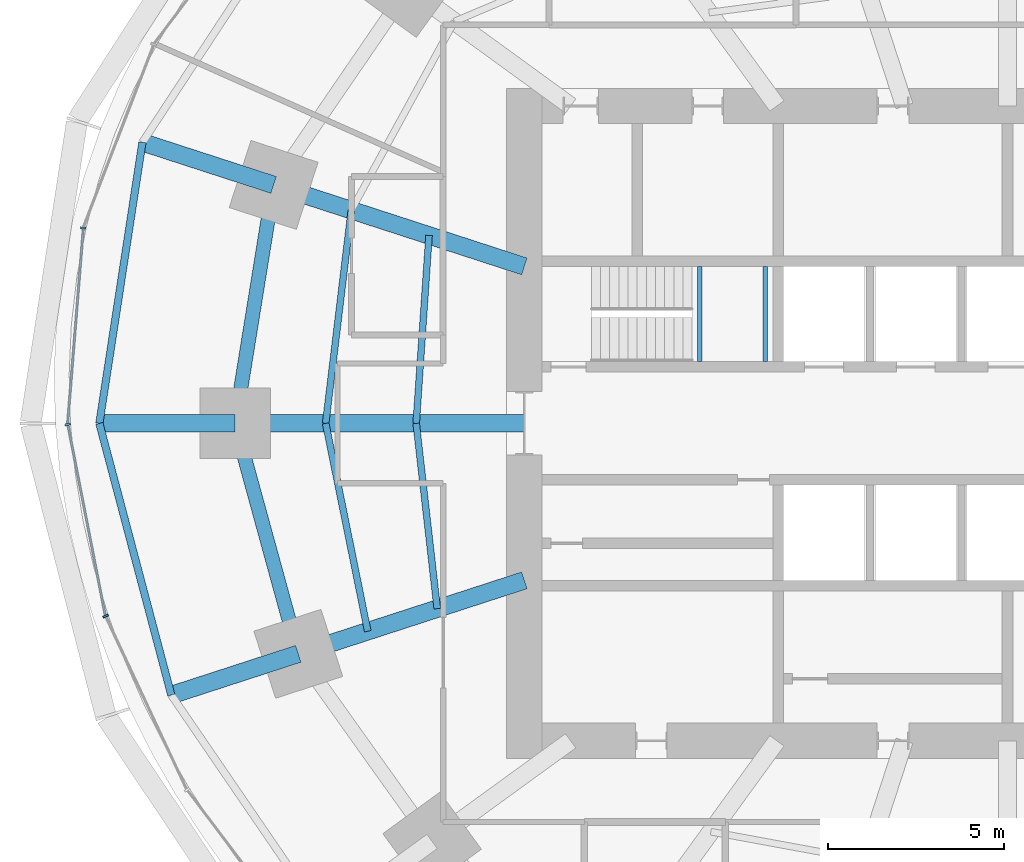
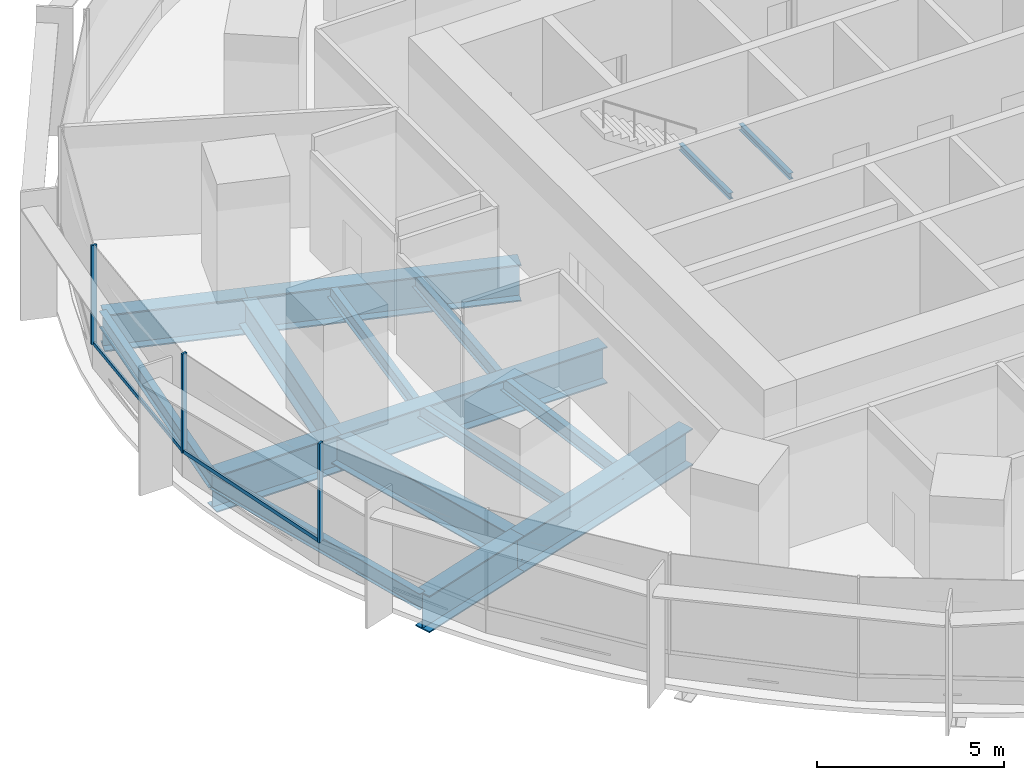
# One storey, part 4 of 15: 16 beams, 5 members, 2 elements without a shape of their own.
"""IFC4 building model written with IfcOpenShell, lengths in metres."""

from ifc_helpers import new_model, si_unit, direction, frame, origin, origin_2d, place, context, subcontext, project, spatial, rectangle, i_section, extrude, material, material_profile, profile_set, type_object, element, aggregate, save


model = new_model("IFC4")

# Units and contexts
model_context = context("Model", 3, precision=1e-05, world=origin(), true_north=direction((0.0, 1.0)))
body_context = subcontext(model_context, "Body", "Model", "MODEL_VIEW")
ifc_project = project(units=[si_unit("LENGTHUNIT", "METRE"), si_unit("AREAUNIT", "SQUARE_METRE"), si_unit("VOLUMEUNIT", "CUBIC_METRE"), si_unit("PLANEANGLEUNIT", "RADIAN"), si_unit("MASSUNIT", "GRAM", prefix="KILO")], contexts=[model_context])

# Site, building, storey
site_placement = place(None, origin())
site = spatial("IfcSite", under=ifc_project, at=site_placement, CompositionType="ELEMENT")
building_placement = place(site_placement, origin())
building = spatial("IfcBuilding", under=site, at=building_placement, Name="Marramba Exchange Tower", CompositionType="ELEMENT")
storey_placement = place(building_placement, frame((0.0, 0.0, 40.60009765625)))
storey = spatial("IfcBuildingStorey", under=building, at=storey_placement, Name="L09", CompositionType="ELEMENT", Elevation=40.60009765625)

# Beams
ifc_material_1 = material(Name="Steel AS/NZS 3679.2 grade 300", Category="steel")
ifc_material_profile_1 = material_profile(ifc_material_1, i_section(OverallWidth=0.5, OverallDepth=1.199951171875, WebThickness=0.01611328125, FlangeThickness=0.0400390625, at=origin_2d()), Name="1200WB455")
ifc_profile_set_1 = profile_set([ifc_material_profile_1], Name="Steel AS/NZS 3679.2 grade 300")
beam_type_1 = type_object("IfcBeamType", Name="Cantilever girder 1200WB455", PredefinedType="BEAM", material=ifc_profile_set_1)
beam_1_placement = place(storey_placement, frame((-20.808349609375, 6.760986328125, -0.760009765625), z_axis=(-0.951058833549, 0.309009862508, 0.0), x_axis=(-0.309009862508, -0.951058833549, 0.0)))
element("IfcBeam", 1, at=beam_1_placement, inside=storey, type_object=beam_type_1, Name="Cantilever girder L09 TC10", PredefinedType="BEAM", context=body_context, shape_type="SweptSolid", body=[
    extrude(i_section(OverallWidth=0.5, OverallDepth=1.199951171875, WebThickness=0.01611328125, FlangeThickness=0.0400390625, at=origin_2d()), origin(), (0.0, 0.0, 1.0), 3.91162109375),
])
beam_2_placement = place(storey_placement, frame((-21.89990234375, 0.0, -0.760009765625), z_axis=(-1.0, 0.0, 0.0), x_axis=(0.0, -1.0, 0.0)))
element("IfcBeam", 2, at=beam_2_placement, inside=storey, type_object=beam_type_1, Name="Cantilever girder L09 TC11", PredefinedType="BEAM", context=body_context, shape_type="SweptSolid", body=[
    extrude(i_section(OverallWidth=0.5, OverallDepth=1.199951171875, WebThickness=0.01611328125, FlangeThickness=0.0400390625, at=origin_2d()), origin(), (0.0, 0.0, 1.0), 3.85009765625),
])
beam_3_placement = place(storey_placement, frame((-20.109375, -6.533935546875, -0.760009765625), z_axis=(-0.951048759501, -0.309040866314, 0.0), x_axis=(0.309040866314, -0.951048759501, 0.0)))
element("IfcBeam", 3, at=beam_3_placement, inside=storey, type_object=beam_type_1, Name="Cantilever girder L09 TC12", PredefinedType="BEAM", context=body_context, shape_type="SweptSolid", body=[
    extrude(i_section(OverallWidth=0.5, OverallDepth=1.199951171875, WebThickness=0.01611328125, FlangeThickness=0.0400390625, at=origin_2d()), origin(), (0.0, 0.0, 1.0), 3.78564453125),
])
ifc_material_2 = material(Name="Steel AS/NZS 3679.1 grade 300", Category="steel")
ifc_material_profile_2 = material_profile(ifc_material_2, i_section(OverallWidth=0.18994140625, OverallDepth=0.4541015625, WebThickness=0.008544921875, FlangeThickness=0.0126953125, FilletRadius=0.011474609375, at=origin_2d()), Name="460UB67.1")
ifc_profile_set_2 = profile_set([ifc_material_profile_2], Name="Steel AS/NZS 3679.1 grade 300")
beam_type_2 = type_object("IfcBeamType", Name="Floor joist 460UB67.1", PredefinedType="JOIST", material=ifc_profile_set_2)
beam_4_placement = place(storey_placement, frame((-16.40283203125, 5.32958984375, -0.38720703125), z_axis=(-0.068096259546, -0.99767875563, 0.0), x_axis=(0.99767875563, -0.068096259546, 0.0)))
element("IfcBeam", 4, at=beam_4_placement, inside=storey, type_object=beam_type_2, Name="Joist L09 bay 10 row 1", PredefinedType="JOIST", context=body_context, shape_type="SweptSolid", body=[
    extrude(i_section(OverallWidth=0.18994140625, OverallDepth=0.4541015625, WebThickness=0.008544921875, FlangeThickness=0.0126953125, FilletRadius=0.011474609375, at=origin_2d()), origin(), (0.0, 0.0, 1.0), 5.342041015625),
])
beam_5_placement = place(storey_placement, frame((-18.60546875, 6.04541015625, -0.38720703125), z_axis=(-0.119523078538, -0.992831422597, 0.0), x_axis=(0.992831422597, -0.119523078538, 0.0)))
element("IfcBeam", 5, at=beam_5_placement, inside=storey, type_object=beam_type_2, Name="Joist L09 bay 10 row 2", PredefinedType="JOIST", context=body_context, shape_type="SweptSolid", body=[
    extrude(i_section(OverallWidth=0.18994140625, OverallDepth=0.4541015625, WebThickness=0.008544921875, FlangeThickness=0.0126953125, FilletRadius=0.011474609375, at=origin_2d()), origin(), (0.0, 0.0, 1.0), 6.089111328125),
])
beam_6_placement = place(storey_placement, frame((-16.7666015625, 0.0, -0.38720703125), z_axis=(0.112888968594, -0.993607609054, 0.0), x_axis=(0.993607609054, 0.112888968594, 0.0)))
element("IfcBeam", 6, at=beam_6_placement, inside=storey, type_object=beam_type_2, Name="Joist L09 bay 11 row 1", PredefinedType="JOIST", context=body_context, shape_type="SweptSolid", body=[
    extrude(i_section(OverallWidth=0.18994140625, OverallDepth=0.4541015625, WebThickness=0.008544921875, FlangeThickness=0.0126953125, FilletRadius=0.011474609375, at=origin_2d()), origin(), (0.0, 0.0, 1.0), 5.28759765625),
])
beam_7_placement = place(storey_placement, frame((-19.333251953125, 0.0, -0.38720703125), z_axis=(0.198489047047, -0.980103105904, 0.0), x_axis=(0.980103105904, 0.198489047047, 0.0)))
element("IfcBeam", 7, at=beam_7_placement, inside=storey, type_object=beam_type_2, Name="Joist L09 bay 11 row 2", PredefinedType="JOIST", context=body_context, shape_type="SweptSolid", body=[
    extrude(i_section(OverallWidth=0.18994140625, OverallDepth=0.4541015625, WebThickness=0.008544921875, FlangeThickness=0.0126953125, FilletRadius=0.011474609375, at=origin_2d()), origin(), (0.0, 0.0, 1.0), 6.013427734375),
])
ifc_material_profile_3 = material_profile(ifc_material_1, i_section(OverallWidth=0.5, OverallDepth=1.199951171875, WebThickness=0.01611328125, FlangeThickness=0.0400390625, at=origin_2d()), Name="1200WB455")
ifc_profile_set_3 = profile_set([ifc_material_profile_3], Name="Steel AS/NZS 3679.2 grade 300")
beam_type_3 = type_object("IfcBeamType", Name="Radial girder 1200WB455", PredefinedType="BEAM", material=ifc_profile_set_3)
beam_8_placement = place(storey_placement, frame((-13.699951171875, 4.451416015625, -0.760009765625), z_axis=(-0.951059990189, 0.309006302624, 0.0), x_axis=(-0.309006302624, -0.951059990189, 0.0)))
element("IfcBeam", 8, at=beam_8_placement, inside=storey, type_object=beam_type_3, Name="Radial girder L09 TC10", PredefinedType="BEAM", context=body_context, shape_type="SweptSolid", body=[
    extrude(i_section(OverallWidth=0.5, OverallDepth=1.199951171875, WebThickness=0.01611328125, FlangeThickness=0.0400390625, at=origin_2d()), origin(), (0.0, 0.0, 1.0), 7.47412109375),
])
beam_9_placement = place(storey_placement, frame((-13.699951171875, 0.0, -0.760009765625), z_axis=(-1.0, 0.0, 0.0), x_axis=(0.0, -1.0, 0.0)))
element("IfcBeam", 9, at=beam_9_placement, inside=storey, type_object=beam_type_3, Name="Radial girder L09 TC11", PredefinedType="BEAM", context=body_context, shape_type="SweptSolid", body=[
    extrude(i_section(OverallWidth=0.5, OverallDepth=1.199951171875, WebThickness=0.01611328125, FlangeThickness=0.0400390625, at=origin_2d()), origin(), (0.0, 0.0, 1.0), 8.199951171875),
])
beam_10_placement = place(storey_placement, frame((-13.699951171875, -4.451416015625, -0.760009765625), z_axis=(-0.951057759669, -0.309013167637, 0.0), x_axis=(0.309013167637, -0.951057759669, 0.0)))
element("IfcBeam", 10, at=beam_10_placement, inside=storey, type_object=beam_type_3, Name="Radial girder L09 TC12", PredefinedType="BEAM", context=body_context, shape_type="SweptSolid", body=[
    extrude(i_section(OverallWidth=0.5, OverallDepth=1.199951171875, WebThickness=0.01611328125, FlangeThickness=0.0400390625, at=origin_2d()), origin(), (0.0, 0.0, 1.0), 6.7392578125),
])
ifc_material_profile_4 = material_profile(ifc_material_1, i_section(OverallWidth=0.39990234375, OverallDepth=1.0, WebThickness=0.01611328125, FlangeThickness=0.031982421875, at=origin_2d()), Name="1000WB322")
ifc_profile_set_4 = profile_set([ifc_material_profile_4], Name="Steel AS/NZS 3679.2 grade 300")
beam_type_4 = type_object("IfcBeamType", Name="Ring beam 1000WB322", PredefinedType="SPANDREL", material=ifc_profile_set_4)
beam_11_placement = place(storey_placement, frame((-20.808349609375, 6.760986328125, -0.66015625), z_axis=(-0.159384865399, -0.987216523708, 0.0), x_axis=(0.987216523708, -0.159384865399, 0.0)))
element("IfcBeam", 11, at=beam_11_placement, inside=storey, type_object=beam_type_4, Name="Ring beam L09 TC10-TC11", PredefinedType="SPANDREL", context=body_context, shape_type="SweptSolid", body=[
    extrude(i_section(OverallWidth=0.39990234375, OverallDepth=1.0, WebThickness=0.01611328125, FlangeThickness=0.031982421875, at=origin_2d()), origin(), (0.0, 0.0, 1.0), 6.8486328125),
])
beam_12_placement = place(storey_placement, frame((-21.89990234375, 0.0, -0.66015625), z_axis=(0.264291166956, -0.964442937176, 0.0), x_axis=(0.964442937176, 0.264291166956, 0.0)))
element("IfcBeam", 12, at=beam_12_placement, inside=storey, type_object=beam_type_4, Name="Ring beam L09 TC11-TC12", PredefinedType="SPANDREL", context=body_context, shape_type="SweptSolid", body=[
    extrude(i_section(OverallWidth=0.39990234375, OverallDepth=1.0, WebThickness=0.01611328125, FlangeThickness=0.031982421875, at=origin_2d()), origin(), (0.0, 0.0, 1.0), 6.77490234375),
])
ifc_material_profile_5 = material_profile(ifc_material_2, i_section(OverallWidth=0.208984375, OverallDepth=0.528076171875, WebThickness=0.009521484375, FlangeThickness=0.01318359375, FilletRadius=0.013916015625, at=origin_2d()), Name="530UB82.0")
ifc_profile_set_5 = profile_set([ifc_material_profile_5], Name="Steel AS/NZS 3679.1 grade 300")
beam_type_5 = type_object("IfcBeamType", Name="Slab edge beam 530UB82.0", PredefinedType="SPANDREL", material=ifc_profile_set_5)
beam_13_placement = place(storey_placement, frame((-24.528564453125, 7.9697265625, -0.424072265625), z_axis=(-0.151490591645, -0.988458699513, 0.0), x_axis=(0.988458699513, -0.151490591645, 0.0)))
element("IfcBeam", 13, at=beam_13_placement, inside=storey, type_object=beam_type_5, Name="Slab edge beam L09 TC10-TC11", PredefinedType="SPANDREL", context=body_context, shape_type="SweptSolid", body=[
    extrude(i_section(OverallWidth=0.208984375, OverallDepth=0.528076171875, WebThickness=0.009521484375, FlangeThickness=0.01318359375, FilletRadius=0.013916015625, at=origin_2d()), origin(), (0.0, 0.0, 1.0), 8.062744140625),
])
beam_14_placement = place(storey_placement, frame((-25.75, 0.0, -0.424072265625), z_axis=(0.25601296674, -0.966673347549, 0.0), x_axis=(0.966673347549, 0.25601296674, 0.0)))
element("IfcBeam", 14, at=beam_14_placement, inside=storey, type_object=beam_type_5, Name="Slab edge beam L09 TC11-TC12", PredefinedType="SPANDREL", context=body_context, shape_type="SweptSolid", body=[
    extrude(i_section(OverallWidth=0.208984375, OverallDepth=0.528076171875, WebThickness=0.009521484375, FlangeThickness=0.01318359375, FilletRadius=0.013916015625, at=origin_2d()), origin(), (0.0, 0.0, 1.0), 7.969482421875),
])
ifc_material_profile_6 = material_profile(ifc_material_2, i_section(OverallWidth=0.133056640625, OverallDepth=0.202880859375, WebThickness=0.005859375, FlangeThickness=0.0078125, FilletRadius=0.0087890625, at=origin_2d()), Name="200UB25.4")
ifc_profile_set_6 = profile_set([ifc_material_profile_6], Name="Steel AS/NZS 3679.1 grade 300")
beam_type_6 = type_object("IfcBeamType", Name="Stair landing beam 200UB25.4", PredefinedType="BEAM", material=ifc_profile_set_6)
for number, where, z_axis, x_axis, name in (
    (15, (-8.723388671875, 1.75, 1.79833984375), (0.0, 1.0, 0.0), (-1.0, 0.0, 0.0), "Stair landing beam SLB1 ST1 L09 1"),
    (16, (-6.866455078125, 1.75, 1.79833984375), (0.0, 1.0, 0.0), (-1.0, 0.0, 0.0), "Stair landing beam SLB1 ST1 L09 2"),
):
    element("IfcBeam", number, at=place(storey_placement, frame(where, z_axis=z_axis, x_axis=x_axis)), inside=storey, type_object=beam_type_6, Name=name, PredefinedType="BEAM", context=body_context, shape_type="SweptSolid", body=[
        extrude(i_section(OverallWidth=0.133056640625, OverallDepth=0.202880859375, WebThickness=0.005859375, FlangeThickness=0.0078125, FilletRadius=0.0087890625, at=origin_2d()), origin(), (0.0, 0.0, 1.0), 2.699951171875),
    ])

# Curtain wall, member
ifc_material_3 = material(Name="Aluminium framing, bronze anodised", Category="aluminium")
curtain_wall_type = type_object("IfcCurtainWallType", Name="Trading floor ribbon curtain wall", PredefinedType="USERDEFINED", material=ifc_material_3)
curtain_wall_1_placement = place(storey_placement, origin())
curtain_wall_1 = element("IfcCurtainWall", 17, at=curtain_wall_1_placement, inside=storey, type_object=curtain_wall_type, Name="Curtain wall CW3 L09 F11-F15", ObjectType="RIBBON CURTAIN WALL", PredefinedType="USERDEFINED")
ifc_material_4 = material(Name="Aluminium mullion, bronze anodised", Category="aluminium")
ifc_material_profile_7 = material_profile(ifc_material_4, rectangle(XDim=0.159912109375, YDim=0.06005859375, at=origin_2d()), Name="CW3 mullion 60x160")
ifc_profile_set_7 = profile_set([ifc_material_profile_7], Name="Aluminium mullion, bronze anodised")
member_type_1 = type_object("IfcMemberType", Name="Trading floor ribbon curtain wall mullion", PredefinedType="MULLION", material=ifc_profile_set_7)
member_1_placement = place(storey_placement, frame((-26.203857421875, 5.539306640625, 0.7998046875), z_axis=(0.0, 0.0, 1.0), x_axis=(0.996772736434, -0.080275225953, 0.0)))
member_1 = element("IfcMember", 18, at=member_1_placement, type_object=member_type_1, Name="CW3 mullion 1", PredefinedType="MULLION", context=body_context, shape_type="SweptSolid", body=[
    extrude(rectangle(XDim=0.159912109375, YDim=0.06005859375, at=origin_2d()), origin(), (0.0, 0.0, 1.0), 3.239990234375),
])

# Curtain wall, members
curtain_wall_2_placement = place(storey_placement, origin())
curtain_wall_2 = element("IfcCurtainWall", 19, at=curtain_wall_2_placement, inside=storey, type_object=curtain_wall_type, Name="Curtain wall CW3 L09 F16-F20", ObjectType="RIBBON CURTAIN WALL", PredefinedType="USERDEFINED")
member_2_placement = place(storey_placement, frame((-26.644287109375, -0.029541015625, 0.7998046875), z_axis=(0.0, 0.0, 1.0), x_axis=(0.981346261612, 0.1922485756, 0.0)))
member_2 = element("IfcMember", 20, at=member_2_placement, type_object=member_type_1, Name="CW3 mullion 1", PredefinedType="MULLION", context=body_context, shape_type="SweptSolid", body=[
    extrude(rectangle(XDim=0.159912109375, YDim=0.06005859375, at=origin_2d()), origin(), (0.0, 0.0, 1.0), 3.239990234375),
])
member_3_placement = place(storey_placement, frame((-25.572021484375, -5.46533203125, 0.7998046875), z_axis=(0.0, 0.0, 1.0), x_axis=(0.905906758768, 0.423477206492, 0.0)))
member_3 = element("IfcMember", 21, at=member_3_placement, type_object=member_type_1, Name="CW3 mullion 1", PredefinedType="MULLION", context=body_context, shape_type="SweptSolid", body=[
    extrude(rectangle(XDim=0.159912109375, YDim=0.06005859375, at=origin_2d()), origin(), (0.0, 0.0, 1.0), 3.239990234375),
])

# Member
ifc_material_5 = material(Name="Aluminium transom, bronze anodised", Category="aluminium")
ifc_material_profile_8 = material_profile(ifc_material_5, rectangle(XDim=0.06005859375, YDim=0.1201171875, at=origin_2d()), Name="CW3 transom 60x120")
ifc_profile_set_8 = profile_set([ifc_material_profile_8], Name="Aluminium transom, bronze anodised")
member_type_2 = type_object("IfcMemberType", Name="Trading floor ribbon curtain wall transom", PredefinedType="USERDEFINED", material=ifc_profile_set_8)
member_4_placement = place(storey_placement, frame((-26.206298828125, 5.509521484375, 0.829833984375), z_axis=(-0.080256075865, -0.996774278504, 0.0), x_axis=(0.996774278504, -0.080256075865, 0.0)))
member_4 = element("IfcMember", 22, at=member_4_placement, type_object=member_type_2, Name="CW3 sill transom", ObjectType="TRANSOM", PredefinedType="USERDEFINED", context=body_context, shape_type="SweptSolid", body=[
    extrude(rectangle(XDim=0.06005859375, YDim=0.1201171875, at=origin_2d()), origin(), (0.0, 0.0, 1.0), 5.52734375),
])

aggregate(curtain_wall_1, [member_1, member_4])

member_5_placement = place(storey_placement, frame((-26.638427734375, -0.058837890625, 0.829833984375), z_axis=(0.192226081646, -0.981350667975, 0.0), x_axis=(0.981350667975, 0.192226081646, 0.0)))
member_5 = element("IfcMember", 23, at=member_5_placement, type_object=member_type_2, Name="CW3 sill transom", ObjectType="TRANSOM", PredefinedType="USERDEFINED", context=body_context, shape_type="SweptSolid", body=[
    extrude(rectangle(XDim=0.06005859375, YDim=0.1201171875, at=origin_2d()), origin(), (0.0, 0.0, 1.0), 5.481689453125),
])

aggregate(curtain_wall_2, [member_2, member_5, member_3])

save(model, "model.ifc")
